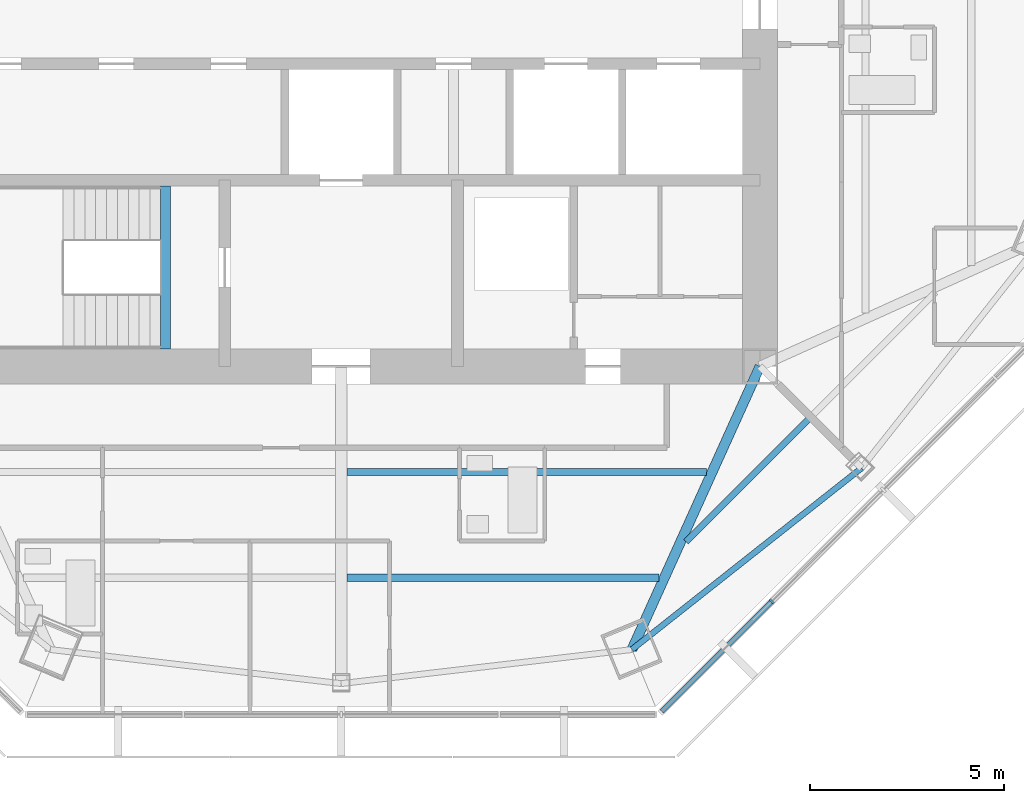
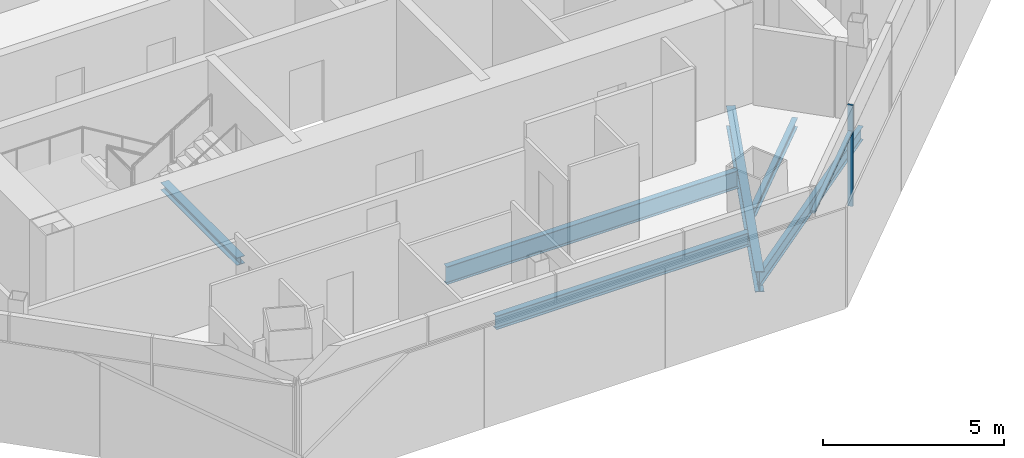
# One storey, part 3 of 15: 6 beams, 2 members, 1 element without a shape of its own.
"""IFC4 building model written with IfcOpenShell, lengths in metres."""

from ifc_helpers import new_model, si_unit, direction, frame, origin, origin_2d, place, context, subcontext, project, spatial, rectangle, i_section, extrude, source, transform, mapped, material, material_profile, profile_set, type_object, type_shapes, element, aggregate, save


model = new_model("IFC4")

# Units and contexts
model_context = context("Model", 3, precision=1e-05, world=origin(), true_north=direction((0.0, 1.0)))
body_context = subcontext(model_context, "Body", "Model", "MODEL_VIEW")
ifc_project = project(units=[si_unit("LENGTHUNIT", "METRE"), si_unit("AREAUNIT", "SQUARE_METRE"), si_unit("VOLUMEUNIT", "CUBIC_METRE"), si_unit("PLANEANGLEUNIT", "RADIAN"), si_unit("MASSUNIT", "GRAM", prefix="KILO")], contexts=[model_context])

# Site, building, storey
site_placement = place(None, origin())
site = spatial("IfcSite", under=ifc_project, at=site_placement, CompositionType="ELEMENT")
building_placement = place(site_placement, origin())
building = spatial("IfcBuilding", under=site, at=building_placement, Name="Mashrafa Tower", CompositionType="ELEMENT")
storey_placement = place(building_placement, frame((0.0, 0.0, 291.199951171875)))
storey = spatial("IfcBuildingStorey", under=building, at=storey_placement, Name="L71", CompositionType="ELEMENT", Elevation=291.199951171875)

# Beams
ifc_material_1 = material(Name="Steel ASTM A992", Category="steel")
ifc_material_profile_1 = material_profile(ifc_material_1, i_section(OverallWidth=0.164794921875, OverallDepth=0.309814453125, WebThickness=0.005859375, FlangeThickness=0.009765625, FilletRadius=0.007568359375, at=origin_2d()), Name="W12X26")
ifc_profile_set_1 = profile_set([ifc_material_profile_1], Name="Steel ASTM A992")
beam_type_1 = type_object("IfcBeamType", Name="Beam W12X26", PredefinedType="BEAM", material=ifc_profile_set_1)
beam_1_placement = place(storey_placement, frame((12.04833984375, -12.17431640625, -0.35498046875), z_axis=(-0.707079414784, -0.70713414653, 0.0), x_axis=(0.70713414653, -0.707079414784, 0.0)))
element("IfcBeam", 1, at=beam_1_placement, inside=storey, type_object=beam_type_1, Name="Floor beam L71 018", PredefinedType="BEAM", context=body_context, shape_type="SweptSolid", body=[
    extrude(i_section(OverallWidth=0.164794921875, OverallDepth=0.309814453125, WebThickness=0.005859375, FlangeThickness=0.009765625, FilletRadius=0.007568359375, at=origin_2d()), origin(), (0.0, 0.0, 1.0), 4.460693359375),
])
ifc_material_2 = material(Name="Steel ASTM A992", Category="steel")
ifc_material_profile_2 = material_profile(ifc_material_2, i_section(OverallWidth=0.15234375, OverallDepth=0.449462890625, WebThickness=0.007568359375, FlangeThickness=0.0107421875, FilletRadius=0.01025390625, at=origin_2d()), Name="W18X35")
ifc_profile_set_2 = profile_set([ifc_material_profile_2], Name="Steel ASTM A992")
beam_type_2 = type_object("IfcBeamType", Name="Beam W18X35", PredefinedType="BEAM", material=ifc_profile_set_2)
beam_2_placement = place(storey_placement, frame((7.4990234375, -18.1044921875, -0.4248046875), z_axis=(0.784564834907, 0.620046788418, 0.0), x_axis=(-0.620046788418, 0.784564834907, 0.0)))
element("IfcBeam", 2, at=beam_2_placement, inside=storey, type_object=beam_type_2, Name="Spandrel beam L71 050", PredefinedType="BEAM", context=body_context, shape_type="SweptSolid", body=[
    extrude(i_section(OverallWidth=0.15234375, OverallDepth=0.449462890625, WebThickness=0.007568359375, FlangeThickness=0.0107421875, FilletRadius=0.01025390625, at=origin_2d()), origin(), (0.0, 0.0, 1.0), 7.550537109375),
])
ifc_material_3 = material(Name="Steel ASTM A992", Category="steel")
ifc_material_profile_3 = material_profile(ifc_material_3, i_section(OverallWidth=0.191162109375, OverallDepth=0.459716796875, WebThickness=0.010009765625, FlangeThickness=0.01611328125, FilletRadius=0.01025390625, at=origin_2d()), Name="W18X55")
ifc_profile_set_3 = profile_set([ifc_material_profile_3], Name="Steel ASTM A992")
beam_type_3 = type_object("IfcBeamType", Name="Beam W18X55", PredefinedType="BEAM", material=ifc_profile_set_3)
beam_3_placement = place(storey_placement, frame((8.194091796875, -16.255126953125, -0.429931640625), z_axis=(-1.0, 0.0, 0.0), x_axis=(0.0, -1.0, 0.0)))
element("IfcBeam", 3, at=beam_3_placement, inside=storey, type_object=beam_type_3, Name="Floor beam L71 015", PredefinedType="BEAM", context=body_context, shape_type="SweptSolid", body=[
    extrude(i_section(OverallWidth=0.191162109375, OverallDepth=0.459716796875, WebThickness=0.010009765625, FlangeThickness=0.01611328125, FilletRadius=0.01025390625, at=origin_2d()), origin(), (0.0, 0.0, 1.0), 8.048095703125),
])
ifc_material_4 = material(Name="Steel ASTM A992", Category="steel")
ifc_material_profile_4 = material_profile(ifc_material_4, i_section(OverallWidth=0.177978515625, OverallDepth=0.599365234375, WebThickness=0.010009765625, FlangeThickness=0.012939453125, FilletRadius=0.012939453125, at=origin_2d()), Name="W24X55")
ifc_profile_set_4 = profile_set([ifc_material_profile_4], Name="Steel ASTM A992")
beam_type_4 = type_object("IfcBeamType", Name="Beam W24X55", PredefinedType="BEAM", material=ifc_profile_set_4)
beam_4_placement = place(storey_placement, frame((9.426513671875, -13.527587890625, -0.499755859375), z_axis=(-1.0, 0.0, 0.0), x_axis=(0.0, -1.0, 0.0)))
element("IfcBeam", 4, at=beam_4_placement, inside=storey, type_object=beam_type_4, Name="Floor beam L71 017", PredefinedType="BEAM", context=body_context, shape_type="SweptSolid", body=[
    extrude(i_section(OverallWidth=0.177978515625, OverallDepth=0.599365234375, WebThickness=0.010009765625, FlangeThickness=0.012939453125, FilletRadius=0.012939453125, at=origin_2d()), origin(), (0.0, 0.0, 1.0), 9.280517578125),
])
ifc_material_5 = material(Name="Steel ASTM A992", Category="steel")
ifc_material_profile_5 = material_profile(ifc_material_5, i_section(OverallWidth=0.256591796875, OverallDepth=0.693359375, WebThickness=0.014404296875, FlangeThickness=0.023681640625, FilletRadius=0.01513671875, at=origin_2d()), Name="W27X114")
ifc_profile_set_5 = profile_set([ifc_material_profile_5], Name="Steel ASTM A992")
beam_type_5 = type_object("IfcBeamType", Name="Beam W27X114", PredefinedType="BEAM", material=ifc_profile_set_5)
beam_5_placement = place(storey_placement, frame((10.800048828125, -10.800048828125, -0.546630859375), z_axis=(-0.411819288328, -0.911265534167, 0.0), x_axis=(0.911265534167, -0.411819288328, 0.0)))
element("IfcBeam", 5, at=beam_5_placement, inside=storey, type_object=beam_type_5, Name="Radial girder L71 034", PredefinedType="BEAM", context=body_context, shape_type="SweptSolid", body=[
    extrude(i_section(OverallWidth=0.256591796875, OverallDepth=0.693359375, WebThickness=0.014404296875, FlangeThickness=0.023681640625, FilletRadius=0.01513671875, at=origin_2d()), origin(), (0.0, 0.0, 1.0), 8.015625),
])
ifc_material_6 = material(Name="Steel ASTM A992", Category="steel")
ifc_material_profile_6 = material_profile(ifc_material_6, i_section(OverallWidth=0.25390625, OverallDepth=0.25390625, WebThickness=0.008544921875, FlangeThickness=0.01416015625, FilletRadius=0.010009765625, at=origin_2d()), Name="W10X49")
ifc_profile_set_6 = profile_set([ifc_material_profile_6], Name="Steel ASTM A992")
beam_type_6 = type_object("IfcBeamType", Name="Hoistway beam W10X49", PredefinedType="BEAM", material=ifc_profile_set_6)
beam_6_placement = place(storey_placement, frame((-4.530029296875, -10.35009765625, -0.326904296875), z_axis=(0.0, 1.0, 0.0), x_axis=(-1.0, 0.0, 0.0)))
element("IfcBeam", 6, at=beam_6_placement, inside=storey, type_object=beam_type_6, Name="Stair S3 landing beam L71", PredefinedType="BEAM", context=body_context, shape_type="SweptSolid", body=[
    extrude(i_section(OverallWidth=0.25390625, OverallDepth=0.25390625, WebThickness=0.008544921875, FlangeThickness=0.01416015625, FilletRadius=0.010009765625, at=origin_2d()), origin(), (0.0, 0.0, 1.0), 4.2001953125),
])

# Curtain wall, members
ifc_material_7 = material(Name="Unitised aluminium curtain wall", Category="aluminium")
curtain_wall_type = type_object("IfcCurtainWallType", Name="Apartment curtain wall, zone 4 CW-D 160 deep", PredefinedType="NOTDEFINED", material=ifc_material_7)
curtain_wall_placement = place(storey_placement, origin())
curtain_wall = element("IfcCurtainWall", 7, at=curtain_wall_placement, inside=storey, type_object=curtain_wall_type, Name="Apartment curtain wall, zone 4 L71 south-east", PredefinedType="NOTDEFINED")
ifc_material_8 = material(Name="Extruded aluminium mullion", Category="aluminium")
ifc_material_profile_7 = material_profile(ifc_material_8, rectangle(XDim=0.159912109375, YDim=0.06005859375, at=origin_2d()), Name="Mullion 60x160")
ifc_profile_set_7 = profile_set([ifc_material_profile_7], Name="Extruded aluminium mullion")
member_type_1 = type_object("IfcMemberType", Name="Mullion CW-D 60 x 160", PredefinedType="MULLION", material=ifc_profile_set_7)
shared_shape_1 = source(origin(), body_context, "Body", "SweptSolid", [
    extrude(rectangle(XDim=0.159912109375, YDim=0.06005859375, at=origin_2d()), origin(), (0.0, 0.0, 1.0), 3.400146484375),
])
type_shapes(member_type_1, [shared_shape_1])
member_1_placement = place(storey_placement, frame((11.103515625, -16.865478515625, 0.0), z_axis=(0.0, 0.0, 1.0), x_axis=(-0.707106781187, 0.707106781187, 0.0)))
member_1 = element("IfcMember", 8, at=member_1_placement, type_object=member_type_1, Name="CW-D mullion 2", PredefinedType="MULLION", context=body_context, shape_type="MappedRepresentation", body=[
    mapped(shared_shape_1, transform((0.0, 0.0, 0.0))),
])
ifc_material_9 = material(Name="Extruded aluminium transom", Category="aluminium")
ifc_material_profile_8 = material_profile(ifc_material_9, rectangle(XDim=0.1279296875, YDim=0.074951171875, at=origin_2d()), Name="Transom 75x128")
ifc_profile_set_8 = profile_set([ifc_material_profile_8], Name="Extruded aluminium transom")
member_type_2 = type_object("IfcMemberType", Name="Transom CW-D 75 x 128", PredefinedType="MULLION", material=ifc_profile_set_8)
shared_shape_2 = source(origin(), body_context, "Body", "SweptSolid", [
    extrude(rectangle(XDim=0.1279296875, YDim=0.074951171875, at=origin_2d()), origin(), (0.0, 0.0, 1.0), 3.984375),
])
type_shapes(member_type_2, [shared_shape_2])
member_2_placement = place(storey_placement, frame((8.264892578125, -19.7041015625, 2.5), z_axis=(0.707106781187, 0.707106781187, 0.0), x_axis=(-0.707106781187, 0.707106781187, 0.0)))
member_2 = element("IfcMember", 9, at=member_2_placement, type_object=member_type_2, Name="CW-D transom 1", PredefinedType="MULLION", context=body_context, shape_type="MappedRepresentation", body=[
    mapped(shared_shape_2, transform((0.0, 0.0, 0.0))),
])
aggregate(curtain_wall, [member_1, member_2])

save(model, "model.ifc")
